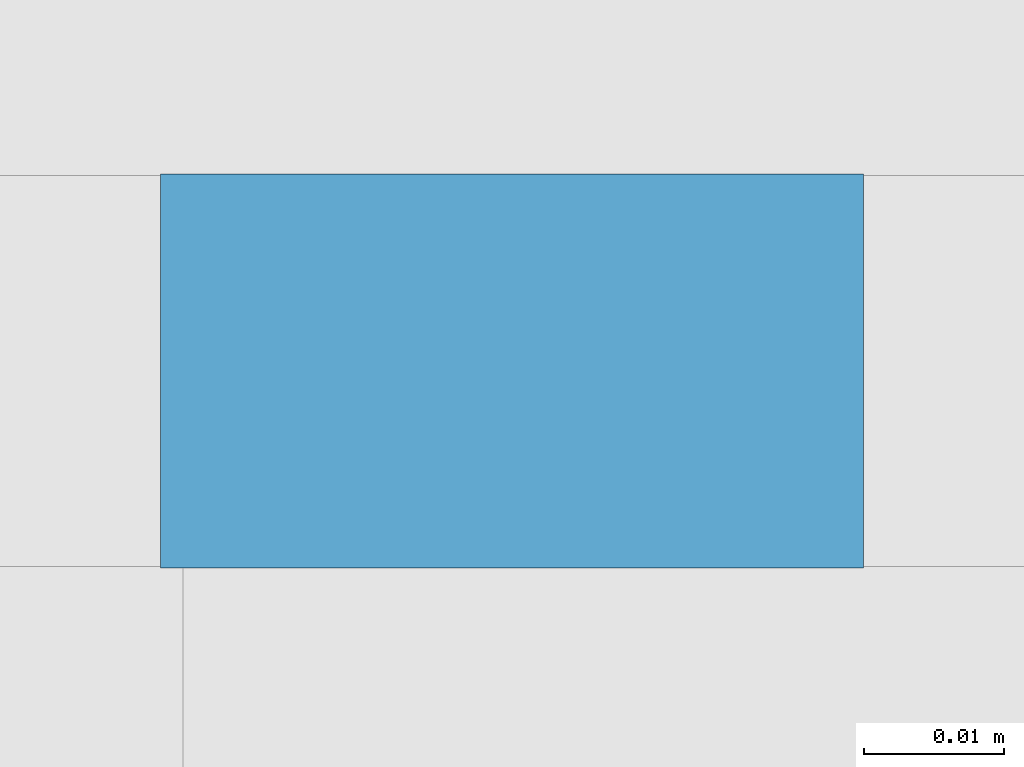
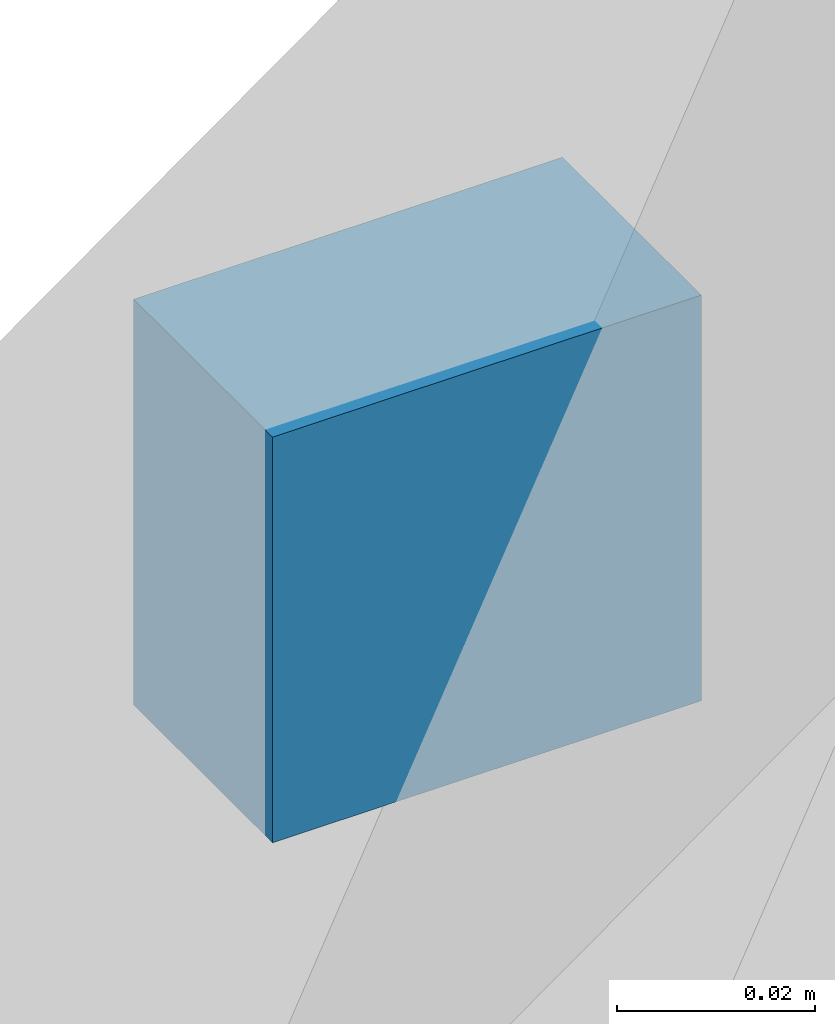
# One storey, part 14 of 19: 1 discrete accessory, 1 element without a shape of its own.
"""IFC4 building model written with IfcOpenShell, lengths in metres."""

from ifc_helpers import new_model, si_unit, direction, frame, origin, origin_2d, place, context, subcontext, project, spatial, rectangle, extrude, material, type_object, element, aggregate, save


model = new_model("IFC4")

# Units and contexts
model_context = context("Model", 3, precision=1e-05, world=origin(), true_north=direction((0.0, 1.0)))
body_context = subcontext(model_context, "Body", "Model", "MODEL_VIEW")
ifc_project = project(units=[si_unit("LENGTHUNIT", "METRE"), si_unit("AREAUNIT", "SQUARE_METRE"), si_unit("VOLUMEUNIT", "CUBIC_METRE"), si_unit("PLANEANGLEUNIT", "RADIAN"), si_unit("MASSUNIT", "GRAM", prefix="KILO")], contexts=[model_context])

# Site, building, storey
site_placement = place(None, origin())
site = spatial("IfcSite", under=ifc_project, at=site_placement, CompositionType="ELEMENT")
building_placement = place(site_placement, origin())
building = spatial("IfcBuilding", under=site, at=building_placement, Name="Tessera Arch", CompositionType="ELEMENT")
storey_placement = place(building_placement, frame((0.0, 0.0, 170.0)))
storey = spatial("IfcBuildingStorey", under=building, at=storey_placement, Name="L40", CompositionType="ELEMENT", Elevation=170.0)

# Curtain wall, discrete accessory
ifc_material = material(Name="CW3 curtain wall")
curtain_wall_type = type_object("IfcCurtainWallType", Name="CW3 curtain wall", PredefinedType="NOTDEFINED", material=ifc_material)
curtain_wall_placement = place(storey_placement, origin())
curtain_wall = element("IfcCurtainWall", 1, at=curtain_wall_placement, inside=storey, type_object=curtain_wall_type, Name="CW3 curtain wall N54.0/4 L40", PredefinedType="NOTDEFINED")
discrete_accessory_placement = place(storey_placement, frame((12.914794921875, 54.0439453125, 1.19189453125), z_axis=(0.0, 0.0, 1.0), x_axis=(-1.0, 0.0, 0.0)))
discrete_accessory = element("IfcDiscreteAccessory", 2, at=discrete_accessory_placement, Name="Glazing bracket", PredefinedType="BRACKET", context=body_context, shape_type="SweptSolid", body=[
    extrude(rectangle(XDim=0.050048828125, YDim=0.028076171875, at=origin_2d()), origin(), (0.0, 0.0, 1.0), 0.050048828125),
])
aggregate(curtain_wall, [discrete_accessory])

save(model, "model.ifc")
